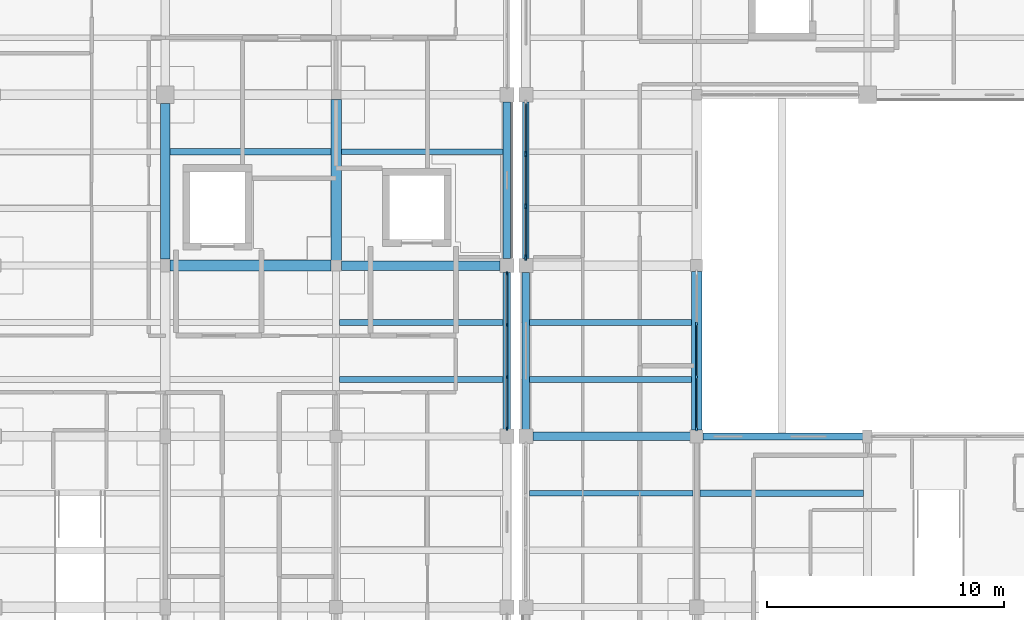
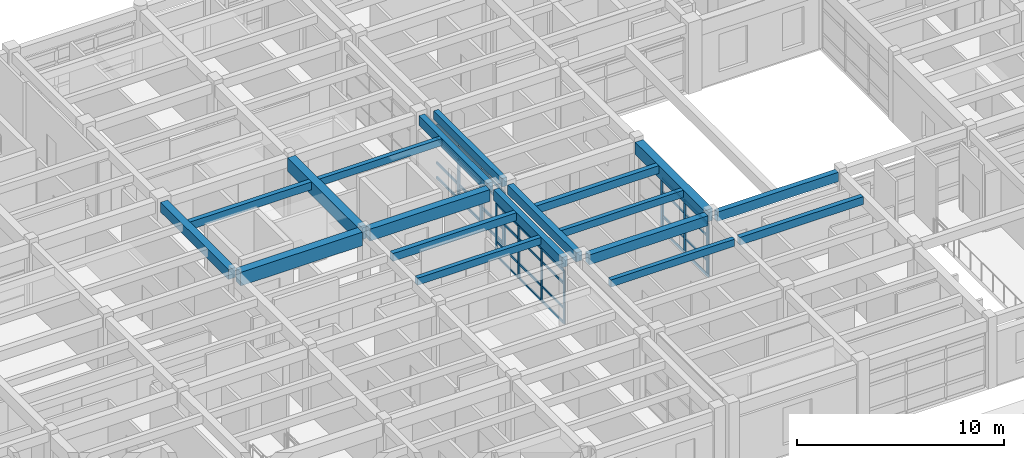
# One storey, part 31 of 110: 42 members, 19 beams, 3 elements without a shape of their own.
"""IFC4 building model written with IfcOpenShell, lengths in metres."""

from ifc_helpers import new_model, si_unit, direction, frame, origin, origin_2d, place, context, subcontext, project, spatial, rectangle, extrude, material, material_profile, profile_set, type_object, element, aggregate, save


model = new_model("IFC4")

# Units and contexts
model_context = context("Model", 3, precision=1e-05, world=origin(), true_north=direction((0.0, 1.0)))
body_context = subcontext(model_context, "Body", "Model", "MODEL_VIEW")
ifc_project = project(units=[si_unit("LENGTHUNIT", "METRE"), si_unit("AREAUNIT", "SQUARE_METRE"), si_unit("VOLUMEUNIT", "CUBIC_METRE"), si_unit("PLANEANGLEUNIT", "RADIAN"), si_unit("MASSUNIT", "GRAM", prefix="KILO")], contexts=[model_context])

# Site, building, storey
site_placement = place(None, origin())
site = spatial("IfcSite", under=ifc_project, at=site_placement, CompositionType="ELEMENT")
building_placement = place(site_placement, origin())
building = spatial("IfcBuilding", under=site, at=building_placement, Name="Steenspoor Specialist Clinic", CompositionType="ELEMENT")
storey_placement = place(building_placement, frame((0.0, 0.0, 4.800048828125)))
storey = spatial("IfcBuildingStorey", under=building, at=storey_placement, Name="L01", CompositionType="ELEMENT", Elevation=4.800048828125)

# Beams
ifc_material_1 = material(Name="Concrete C35/45", Category="concrete")
ifc_material_profile_1 = material_profile(ifc_material_1, rectangle(XDim=0.300048828125, YDim=0.550048828125, at=origin_2d()), Name="RC-BM-300X550")
ifc_profile_set_1 = profile_set([ifc_material_profile_1], Name="Concrete C35/45")
beam_type_1 = type_object("IfcBeamType", Name="BM-RC-300X550", PredefinedType="BEAM", material=ifc_profile_set_1)
beam_1_placement = place(storey_placement, frame((59.8701171875, 79.550048828125, 3.675048828125), z_axis=(1.0, 0.0, 0.0), x_axis=(0.0, 1.0, 0.0)))
element("IfcBeam", 1, at=beam_1_placement, inside=storey, type_object=beam_type_1, Name="BM-V4-L01-X0487", PredefinedType="BEAM", context=body_context, shape_type="SweptSolid", body=[
    extrude(rectangle(XDim=0.300048828125, YDim=0.550048828125, at=origin_2d()), origin(), (0.0, 0.0, 1.0), 6.73486328125),
])
ifc_material_profile_2 = material_profile(ifc_material_1, rectangle(XDim=0.35009765625, YDim=0.580078125, at=origin_2d()), Name="RC-BM-350X580")
ifc_profile_set_2 = profile_set([ifc_material_profile_2], Name="Concrete C35/45")
beam_type_2 = type_object("IfcBeamType", Name="BM-RC-350X580", PredefinedType="BEAM", material=ifc_profile_set_2)
beam_2_placement = place(storey_placement, frame((52.695068359375, 79.550048828125, 3.659912109375), z_axis=(1.0, 0.0, 0.0), x_axis=(0.0, 1.0, 0.0)))
element("IfcBeam", 2, at=beam_2_placement, inside=storey, type_object=beam_type_2, Name="BM-V4-L01-X0486", PredefinedType="BEAM", context=body_context, shape_type="SweptSolid", body=[
    extrude(rectangle(XDim=0.35009765625, YDim=0.580078125, at=origin_2d()), origin(), (0.0, 0.0, 1.0), 6.635009765625),
])
ifc_material_profile_3 = material_profile(ifc_material_1, rectangle(XDim=0.39990234375, YDim=0.580078125, at=origin_2d()), Name="RC-BM-400X580")
ifc_profile_set_3 = profile_set([ifc_material_profile_3], Name="Concrete C35/45")
beam_type_3 = type_object("IfcBeamType", Name="BM-RC-400X580", PredefinedType="BEAM", material=ifc_profile_set_3)
beam_3_placement = place(storey_placement, frame((37.199951171875, 87.02001953125, 3.659912109375), z_axis=(0.0, 1.0, 0.0), x_axis=(-1.0, 0.0, 0.0)))
element("IfcBeam", 3, at=beam_3_placement, inside=storey, type_object=beam_type_3, Name="BM-V5-L01-Y1191", PredefinedType="BEAM", context=body_context, shape_type="SweptSolid", body=[
    extrude(rectangle(XDim=0.39990234375, YDim=0.580078125, at=origin_2d()), origin(), (0.0, 0.0, 1.0), 6.56005859375),
])
ifc_material_profile_4 = material_profile(ifc_material_1, rectangle(XDim=0.39990234375, YDim=0.699951171875, at=origin_2d()), Name="RC-BM-400X700")
ifc_profile_set_4 = profile_set([ifc_material_profile_4], Name="Concrete C35/45")
beam_type_4 = type_object("IfcBeamType", Name="BM-RC-400X700", PredefinedType="BEAM", material=ifc_profile_set_4)
beam_4_placement = place(storey_placement, frame((44.6201171875, 86.75, 3.599853515625), z_axis=(1.0, 0.0, 0.0), x_axis=(0.0, 1.0, 0.0)))
element("IfcBeam", 4, at=beam_4_placement, inside=storey, type_object=beam_type_4, Name="BM-V5-L01-X1168", PredefinedType="BEAM", context=body_context, shape_type="SweptSolid", body=[
    extrude(rectangle(XDim=0.39990234375, YDim=0.699951171875, at=origin_2d()), origin(), (0.0, 0.0, 1.0), 6.684814453125),
])
ifc_material_profile_5 = material_profile(ifc_material_1, rectangle(XDim=0.449951171875, YDim=0.719970703125, at=origin_2d()), Name="RC-BM-450X720")
ifc_profile_set_5 = profile_set([ifc_material_profile_5], Name="Concrete C35/45")
beam_type_5 = type_object("IfcBeamType", Name="BM-RC-450X720", PredefinedType="BEAM", material=ifc_profile_set_5)
beam_5_placement = place(storey_placement, frame((59.60009765625, 79.820068359375, 3.58984375), z_axis=(0.0, 1.0, 0.0), x_axis=(-1.0, 0.0, 0.0)))
element("IfcBeam", 5, at=beam_5_placement, inside=storey, type_object=beam_type_5, Name="BM-V4-L01-Y0529", PredefinedType="BEAM", context=body_context, shape_type="SweptSolid", body=[
    extrude(rectangle(XDim=0.449951171875, YDim=0.719970703125, at=origin_2d()), origin(), (0.0, 0.0, 1.0), 6.684814453125),
])
ifc_material_profile_6 = material_profile(ifc_material_1, rectangle(XDim=0.449951171875, YDim=0.800048828125, at=origin_2d()), Name="RC-BM-450X800")
ifc_profile_set_6 = profile_set([ifc_material_profile_6], Name="Concrete C35/45")
beam_type_6 = type_object("IfcBeamType", Name="BM-RC-450X800", PredefinedType="BEAM", material=ifc_profile_set_6)
for number, where, z_axis, x_axis, name in (
    (6, (37.39501953125, 86.75, 3.550048828125), (1.0, 0.0, 0.0), (0.0, 1.0, 0.0), "BM-V5-L01-X1167"),
    (7, (44.39990234375, 86.969970703125, 3.550048828125), (0.0, 1.0, 0.0), (-1.0, 0.0, 0.0), "BM-V5-L01-Y1197"),
):
    element("IfcBeam", number, at=place(storey_placement, frame(where, z_axis=z_axis, x_axis=x_axis)), inside=storey, type_object=beam_type_6, Name=name, PredefinedType="BEAM", context=body_context, shape_type="SweptSolid", body=[
        extrude(rectangle(XDim=0.449951171875, YDim=0.800048828125, at=origin_2d()), origin(), (0.0, 0.0, 1.0), 6.784912109375),
    ])

# Curtain wall, members
ifc_material_2 = material(Name="Thermally broken aluminium and low-emissivity glass", Category="aluminium")
curtain_wall_type_1 = type_object("IfcCurtainWallType", Name="CW-HALL-480X820", PredefinedType="USERDEFINED", material=ifc_material_2)
curtain_wall_1_placement = place(storey_placement, origin())
curtain_wall_1 = element("IfcCurtainWall", 8, at=curtain_wall_1_placement, inside=storey, type_object=curtain_wall_type_1, Name="Unitised Curtain Wall CW-V5-L01-147", ObjectType="UNITISED GLAZING", PredefinedType="USERDEFINED")
ifc_material_3 = material(Name="Thermally broken aluminium 6063-T6", Category="aluminium")
ifc_material_profile_7 = material_profile(ifc_material_3, rectangle(XDim=0.06494140625, YDim=0.14990234375, at=origin_2d()), Name="CWM-65X150")
ifc_profile_set_7 = profile_set([ifc_material_profile_7], Name="Thermally broken aluminium 6063-T6")
member_type_1 = type_object("IfcMemberType", Name="CW-MULL-65X150", PredefinedType="MULLION", material=ifc_profile_set_7)
member_1_placement = place(storey_placement, frame((51.60009765625, 86.41748046875, 0.0), z_axis=(0.0, 0.0, 1.0), x_axis=(1.0, 0.0, 0.0)))
member_1 = element("IfcMember", 9, at=member_1_placement, type_object=member_type_1, Name="CW-03 mullion 1", PredefinedType="MULLION", context=body_context, shape_type="SweptSolid", body=[
    extrude(rectangle(XDim=0.06494140625, YDim=0.14990234375, at=origin_2d()), origin(), (0.0, 0.0, 1.0), 3.1298828125),
])
member_2_placement = place(storey_placement, frame((51.60009765625, 84.25, 0.0), z_axis=(0.0, 0.0, 1.0), x_axis=(1.0, 0.0, 0.0)))
member_2 = element("IfcMember", 10, at=member_2_placement, type_object=member_type_1, Name="CW-03 mullion 2", PredefinedType="MULLION", context=body_context, shape_type="SweptSolid", body=[
    extrude(rectangle(XDim=0.06494140625, YDim=0.14990234375, at=origin_2d()), origin(), (0.0, 0.0, 1.0), 3.1298828125),
])
member_3_placement = place(storey_placement, frame((51.60009765625, 82.050048828125, 0.0), z_axis=(0.0, 0.0, 1.0), x_axis=(1.0, 0.0, 0.0)))
member_3 = element("IfcMember", 11, at=member_3_placement, type_object=member_type_1, Name="CW-03 mullion 3", PredefinedType="MULLION", context=body_context, shape_type="SweptSolid", body=[
    extrude(rectangle(XDim=0.06494140625, YDim=0.14990234375, at=origin_2d()), origin(), (0.0, 0.0, 1.0), 3.1298828125),
])
member_4_placement = place(storey_placement, frame((51.60009765625, 79.882568359375, 0.0), z_axis=(0.0, 0.0, 1.0), x_axis=(1.0, 0.0, 0.0)))
member_4 = element("IfcMember", 12, at=member_4_placement, type_object=member_type_1, Name="CW-03 mullion 4", PredefinedType="MULLION", context=body_context, shape_type="SweptSolid", body=[
    extrude(rectangle(XDim=0.06494140625, YDim=0.14990234375, at=origin_2d()), origin(), (0.0, 0.0, 1.0), 3.1298828125),
])

curtain_wall_type_2 = type_object("IfcCurtainWallType", Name="CW-SCR-480X320", PredefinedType="USERDEFINED", material=ifc_material_2)
curtain_wall_2_placement = place(storey_placement, origin())
curtain_wall_2 = element("IfcCurtainWall", 13, at=curtain_wall_2_placement, inside=storey, type_object=curtain_wall_type_2, Name="Unitised Curtain Wall CW-V4-L01-066", ObjectType="UNITISED GLAZING", PredefinedType="USERDEFINED")
ifc_material_profile_8 = material_profile(ifc_material_3, rectangle(XDim=0.080078125, YDim=0.219970703125, at=origin_2d()), Name="CWM-80X220")
ifc_profile_set_8 = profile_set([ifc_material_profile_8], Name="Thermally broken aluminium 6063-T6")
member_type_2 = type_object("IfcMemberType", Name="CW-MULL-80X220", PredefinedType="MULLION", material=ifc_profile_set_8)
member_5_placement = place(storey_placement, frame((52.39990234375, 87.090087890625, 0.0), z_axis=(0.0, 0.0, 1.0), x_axis=(-1.0, 0.0, 0.0)))
member_5 = element("IfcMember", 14, at=member_5_placement, type_object=member_type_2, Name="CW-18 mullion 1", PredefinedType="MULLION", context=body_context, shape_type="SweptSolid", body=[
    extrude(rectangle(XDim=0.080078125, YDim=0.219970703125, at=origin_2d()), origin(), (0.0, 0.0, 1.0), 3.1298828125),
])
member_6_placement = place(storey_placement, frame((52.39990234375, 89.25, 0.0), z_axis=(0.0, 0.0, 1.0), x_axis=(-1.0, 0.0, 0.0)))
member_6 = element("IfcMember", 15, at=member_6_placement, type_object=member_type_2, Name="CW-18 mullion 2", PredefinedType="MULLION", context=body_context, shape_type="SweptSolid", body=[
    extrude(rectangle(XDim=0.080078125, YDim=0.219970703125, at=origin_2d()), origin(), (0.0, 0.0, 1.0), 3.1298828125),
])
member_7_placement = place(storey_placement, frame((52.39990234375, 91.449951171875, 0.0), z_axis=(0.0, 0.0, 1.0), x_axis=(-1.0, 0.0, 0.0)))
member_7 = element("IfcMember", 16, at=member_7_placement, type_object=member_type_2, Name="CW-18 mullion 3", PredefinedType="MULLION", context=body_context, shape_type="SweptSolid", body=[
    extrude(rectangle(XDim=0.080078125, YDim=0.219970703125, at=origin_2d()), origin(), (0.0, 0.0, 1.0), 3.1298828125),
])

curtain_wall_type_3 = type_object("IfcCurtainWallType", Name="CW-L00-650X415", PredefinedType="USERDEFINED", material=ifc_material_2)
curtain_wall_3_placement = place(storey_placement, origin())
curtain_wall_3 = element("IfcCurtainWall", 17, at=curtain_wall_3_placement, inside=storey, type_object=curtain_wall_type_3, Name="Unitised Curtain Wall CW-V4-L01-077", ObjectType="UNITISED GLAZING", PredefinedType="USERDEFINED")
ifc_material_profile_9 = material_profile(ifc_material_3, rectangle(XDim=0.090087890625, YDim=0.199951171875, at=origin_2d()), Name="CWM-90X200")
ifc_profile_set_9 = profile_set([ifc_material_profile_9], Name="Thermally broken aluminium 6063-T6")
member_type_3 = type_object("IfcMemberType", Name="CW-MULL-90X200", PredefinedType="MULLION", material=ifc_profile_set_9)
member_8_placement = place(storey_placement, frame((59.60009765625, 84.27490234375, 0.0), z_axis=(0.0, 0.0, 1.0), x_axis=(1.0, 0.0, 0.0)))
member_8 = element("IfcMember", 18, at=member_8_placement, type_object=member_type_3, Name="CW-05 mullion 2", PredefinedType="MULLION", context=body_context, shape_type="SweptSolid", body=[
    extrude(rectangle(XDim=0.090087890625, YDim=0.199951171875, at=origin_2d()), origin(), (0.0, 0.0, 1.0), 3.1298828125),
])
member_9_placement = place(storey_placement, frame((59.60009765625, 82.050048828125, 0.0), z_axis=(0.0, 0.0, 1.0), x_axis=(1.0, 0.0, 0.0)))
member_9 = element("IfcMember", 19, at=member_9_placement, type_object=member_type_3, Name="CW-05 mullion 3", PredefinedType="MULLION", context=body_context, shape_type="SweptSolid", body=[
    extrude(rectangle(XDim=0.090087890625, YDim=0.199951171875, at=origin_2d()), origin(), (0.0, 0.0, 1.0), 3.1298828125),
])
member_10_placement = place(storey_placement, frame((59.60009765625, 79.8701171875, 0.0), z_axis=(0.0, 0.0, 1.0), x_axis=(1.0, 0.0, 0.0)))
member_10 = element("IfcMember", 20, at=member_10_placement, type_object=member_type_3, Name="CW-05 mullion 4", PredefinedType="MULLION", context=body_context, shape_type="SweptSolid", body=[
    extrude(rectangle(XDim=0.090087890625, YDim=0.199951171875, at=origin_2d()), origin(), (0.0, 0.0, 1.0), 3.1298828125),
])
ifc_material_profile_10 = material_profile(ifc_material_3, rectangle(XDim=0.06494140625, YDim=0.1298828125, at=origin_2d()), Name="CWT-65X130")
ifc_profile_set_10 = profile_set([ifc_material_profile_10], Name="Thermally broken aluminium 6063-T6")
member_type_4 = type_object("IfcMemberType", Name="CW-TRAN-65X130", PredefinedType="USERDEFINED", material=ifc_profile_set_10)
member_11_placement = place(storey_placement, frame((59.60009765625, 84.22998046875, 0.032470703125), z_axis=(0.0, -1.0, 0.0), x_axis=(1.0, 0.0, 0.0)))
member_11 = element("IfcMember", 21, at=member_11_placement, type_object=member_type_4, Name="CW-05 transom 2.1", ObjectType="TRANSOM", PredefinedType="USERDEFINED", context=body_context, shape_type="SweptSolid", body=[
    extrude(rectangle(XDim=0.06494140625, YDim=0.1298828125, at=origin_2d()), origin(), (0.0, 0.0, 1.0), 2.135009765625),
])
member_12_placement = place(storey_placement, frame((59.60009765625, 84.22998046875, 0.89990234375), z_axis=(0.0, -1.0, 0.0), x_axis=(1.0, 0.0, 0.0)))
member_12 = element("IfcMember", 22, at=member_12_placement, type_object=member_type_4, Name="CW-05 transom 2.2", ObjectType="TRANSOM", PredefinedType="USERDEFINED", context=body_context, shape_type="SweptSolid", body=[
    extrude(rectangle(XDim=0.06494140625, YDim=0.1298828125, at=origin_2d()), origin(), (0.0, 0.0, 1.0), 2.135009765625),
])
member_13_placement = place(storey_placement, frame((59.60009765625, 84.22998046875, 2.349853515625), z_axis=(0.0, -1.0, 0.0), x_axis=(1.0, 0.0, 0.0)))
member_13 = element("IfcMember", 23, at=member_13_placement, type_object=member_type_4, Name="CW-05 transom 2.3", ObjectType="TRANSOM", PredefinedType="USERDEFINED", context=body_context, shape_type="SweptSolid", body=[
    extrude(rectangle(XDim=0.06494140625, YDim=0.1298828125, at=origin_2d()), origin(), (0.0, 0.0, 1.0), 2.135009765625),
])
member_14_placement = place(storey_placement, frame((59.60009765625, 84.22998046875, 3.097412109375), z_axis=(0.0, -1.0, 0.0), x_axis=(1.0, 0.0, 0.0)))
member_14 = element("IfcMember", 24, at=member_14_placement, type_object=member_type_4, Name="CW-05 transom 2.4", ObjectType="TRANSOM", PredefinedType="USERDEFINED", context=body_context, shape_type="SweptSolid", body=[
    extrude(rectangle(XDim=0.06494140625, YDim=0.1298828125, at=origin_2d()), origin(), (0.0, 0.0, 1.0), 2.135009765625),
])
member_15_placement = place(storey_placement, frame((59.60009765625, 82.0048828125, 0.032470703125), z_axis=(0.0, -1.0, 0.0), x_axis=(1.0, 0.0, 0.0)))
member_15 = element("IfcMember", 25, at=member_15_placement, type_object=member_type_4, Name="CW-05 transom 3.1", ObjectType="TRANSOM", PredefinedType="USERDEFINED", context=body_context, shape_type="SweptSolid", body=[
    extrude(rectangle(XDim=0.06494140625, YDim=0.1298828125, at=origin_2d()), origin(), (0.0, 0.0, 1.0), 2.08984375),
])
member_16_placement = place(storey_placement, frame((59.60009765625, 82.0048828125, 0.89990234375), z_axis=(0.0, -1.0, 0.0), x_axis=(1.0, 0.0, 0.0)))
member_16 = element("IfcMember", 26, at=member_16_placement, type_object=member_type_4, Name="CW-05 transom 3.2", ObjectType="TRANSOM", PredefinedType="USERDEFINED", context=body_context, shape_type="SweptSolid", body=[
    extrude(rectangle(XDim=0.06494140625, YDim=0.1298828125, at=origin_2d()), origin(), (0.0, 0.0, 1.0), 2.08984375),
])
member_17_placement = place(storey_placement, frame((59.60009765625, 82.0048828125, 2.349853515625), z_axis=(0.0, -1.0, 0.0), x_axis=(1.0, 0.0, 0.0)))
member_17 = element("IfcMember", 27, at=member_17_placement, type_object=member_type_4, Name="CW-05 transom 3.3", ObjectType="TRANSOM", PredefinedType="USERDEFINED", context=body_context, shape_type="SweptSolid", body=[
    extrude(rectangle(XDim=0.06494140625, YDim=0.1298828125, at=origin_2d()), origin(), (0.0, 0.0, 1.0), 2.08984375),
])
member_18_placement = place(storey_placement, frame((59.60009765625, 82.0048828125, 3.097412109375), z_axis=(0.0, -1.0, 0.0), x_axis=(1.0, 0.0, 0.0)))
member_18 = element("IfcMember", 28, at=member_18_placement, type_object=member_type_4, Name="CW-05 transom 3.4", ObjectType="TRANSOM", PredefinedType="USERDEFINED", context=body_context, shape_type="SweptSolid", body=[
    extrude(rectangle(XDim=0.06494140625, YDim=0.1298828125, at=origin_2d()), origin(), (0.0, 0.0, 1.0), 2.08984375),
])
aggregate(curtain_wall_3, [member_8, member_9, member_10, member_11, member_12, member_13, member_14, member_15, member_16, member_17, member_18])

# Member
member_19_placement = place(storey_placement, frame((51.60009765625, 86.385009765625, 0.032470703125), z_axis=(0.0, -1.0, 0.0), x_axis=(1.0, 0.0, 0.0)))
member_19 = element("IfcMember", 29, at=member_19_placement, type_object=member_type_4, Name="CW-03 transom 1.1", ObjectType="TRANSOM", PredefinedType="USERDEFINED", context=body_context, shape_type="SweptSolid", body=[
    extrude(rectangle(XDim=0.06494140625, YDim=0.1298828125, at=origin_2d()), origin(), (0.0, 0.0, 1.0), 2.1025390625),
])

member_20_placement = place(storey_placement, frame((51.60009765625, 86.385009765625, 0.89990234375), z_axis=(0.0, -1.0, 0.0), x_axis=(1.0, 0.0, 0.0)))
member_20 = element("IfcMember", 30, at=member_20_placement, type_object=member_type_4, Name="CW-03 transom 1.2", ObjectType="TRANSOM", PredefinedType="USERDEFINED", context=body_context, shape_type="SweptSolid", body=[
    extrude(rectangle(XDim=0.06494140625, YDim=0.1298828125, at=origin_2d()), origin(), (0.0, 0.0, 1.0), 2.1025390625),
])

member_21_placement = place(storey_placement, frame((51.60009765625, 86.385009765625, 2.349853515625), z_axis=(0.0, -1.0, 0.0), x_axis=(1.0, 0.0, 0.0)))
member_21 = element("IfcMember", 31, at=member_21_placement, type_object=member_type_4, Name="CW-03 transom 1.3", ObjectType="TRANSOM", PredefinedType="USERDEFINED", context=body_context, shape_type="SweptSolid", body=[
    extrude(rectangle(XDim=0.06494140625, YDim=0.1298828125, at=origin_2d()), origin(), (0.0, 0.0, 1.0), 2.1025390625),
])

member_22_placement = place(storey_placement, frame((51.60009765625, 86.385009765625, 3.097412109375), z_axis=(0.0, -1.0, 0.0), x_axis=(1.0, 0.0, 0.0)))
member_22 = element("IfcMember", 32, at=member_22_placement, type_object=member_type_4, Name="CW-03 transom 1.4", ObjectType="TRANSOM", PredefinedType="USERDEFINED", context=body_context, shape_type="SweptSolid", body=[
    extrude(rectangle(XDim=0.06494140625, YDim=0.1298828125, at=origin_2d()), origin(), (0.0, 0.0, 1.0), 2.1025390625),
])

member_23_placement = place(storey_placement, frame((51.60009765625, 84.217529296875, 0.032470703125), z_axis=(0.0, -1.0, 0.0), x_axis=(1.0, 0.0, 0.0)))
member_23 = element("IfcMember", 33, at=member_23_placement, type_object=member_type_4, Name="CW-03 transom 2.1", ObjectType="TRANSOM", PredefinedType="USERDEFINED", context=body_context, shape_type="SweptSolid", body=[
    extrude(rectangle(XDim=0.06494140625, YDim=0.1298828125, at=origin_2d()), origin(), (0.0, 0.0, 1.0), 2.135009765625),
])

member_24_placement = place(storey_placement, frame((51.60009765625, 84.217529296875, 0.89990234375), z_axis=(0.0, -1.0, 0.0), x_axis=(1.0, 0.0, 0.0)))
member_24 = element("IfcMember", 34, at=member_24_placement, type_object=member_type_4, Name="CW-03 transom 2.2", ObjectType="TRANSOM", PredefinedType="USERDEFINED", context=body_context, shape_type="SweptSolid", body=[
    extrude(rectangle(XDim=0.06494140625, YDim=0.1298828125, at=origin_2d()), origin(), (0.0, 0.0, 1.0), 2.135009765625),
])

member_25_placement = place(storey_placement, frame((51.60009765625, 84.217529296875, 2.349853515625), z_axis=(0.0, -1.0, 0.0), x_axis=(1.0, 0.0, 0.0)))
member_25 = element("IfcMember", 35, at=member_25_placement, type_object=member_type_4, Name="CW-03 transom 2.3", ObjectType="TRANSOM", PredefinedType="USERDEFINED", context=body_context, shape_type="SweptSolid", body=[
    extrude(rectangle(XDim=0.06494140625, YDim=0.1298828125, at=origin_2d()), origin(), (0.0, 0.0, 1.0), 2.135009765625),
])

member_26_placement = place(storey_placement, frame((51.60009765625, 84.217529296875, 3.097412109375), z_axis=(0.0, -1.0, 0.0), x_axis=(1.0, 0.0, 0.0)))
member_26 = element("IfcMember", 36, at=member_26_placement, type_object=member_type_4, Name="CW-03 transom 2.4", ObjectType="TRANSOM", PredefinedType="USERDEFINED", context=body_context, shape_type="SweptSolid", body=[
    extrude(rectangle(XDim=0.06494140625, YDim=0.1298828125, at=origin_2d()), origin(), (0.0, 0.0, 1.0), 2.135009765625),
])

member_27_placement = place(storey_placement, frame((51.60009765625, 82.017578125, 0.032470703125), z_axis=(0.0, -1.0, 0.0), x_axis=(1.0, 0.0, 0.0)))
member_27 = element("IfcMember", 37, at=member_27_placement, type_object=member_type_4, Name="CW-03 transom 3.1", ObjectType="TRANSOM", PredefinedType="USERDEFINED", context=body_context, shape_type="SweptSolid", body=[
    extrude(rectangle(XDim=0.06494140625, YDim=0.1298828125, at=origin_2d()), origin(), (0.0, 0.0, 1.0), 2.1025390625),
])

member_28_placement = place(storey_placement, frame((51.60009765625, 82.017578125, 0.89990234375), z_axis=(0.0, -1.0, 0.0), x_axis=(1.0, 0.0, 0.0)))
member_28 = element("IfcMember", 38, at=member_28_placement, type_object=member_type_4, Name="CW-03 transom 3.2", ObjectType="TRANSOM", PredefinedType="USERDEFINED", context=body_context, shape_type="SweptSolid", body=[
    extrude(rectangle(XDim=0.06494140625, YDim=0.1298828125, at=origin_2d()), origin(), (0.0, 0.0, 1.0), 2.1025390625),
])

member_29_placement = place(storey_placement, frame((51.60009765625, 82.017578125, 2.349853515625), z_axis=(0.0, -1.0, 0.0), x_axis=(1.0, 0.0, 0.0)))
member_29 = element("IfcMember", 39, at=member_29_placement, type_object=member_type_4, Name="CW-03 transom 3.3", ObjectType="TRANSOM", PredefinedType="USERDEFINED", context=body_context, shape_type="SweptSolid", body=[
    extrude(rectangle(XDim=0.06494140625, YDim=0.1298828125, at=origin_2d()), origin(), (0.0, 0.0, 1.0), 2.1025390625),
])

member_30_placement = place(storey_placement, frame((51.60009765625, 82.017578125, 3.097412109375), z_axis=(0.0, -1.0, 0.0), x_axis=(1.0, 0.0, 0.0)))
member_30 = element("IfcMember", 40, at=member_30_placement, type_object=member_type_4, Name="CW-03 transom 3.4", ObjectType="TRANSOM", PredefinedType="USERDEFINED", context=body_context, shape_type="SweptSolid", body=[
    extrude(rectangle(XDim=0.06494140625, YDim=0.1298828125, at=origin_2d()), origin(), (0.0, 0.0, 1.0), 2.1025390625),
])

aggregate(curtain_wall_1, [member_1, member_2, member_3, member_4, member_19, member_20, member_21, member_22, member_23, member_24, member_25, member_26, member_27, member_28, member_29, member_30])

ifc_material_profile_11 = material_profile(ifc_material_3, rectangle(XDim=0.070068359375, YDim=0.14501953125, at=origin_2d()), Name="CWT-70X145")
ifc_profile_set_11 = profile_set([ifc_material_profile_11], Name="Thermally broken aluminium 6063-T6")
member_type_5 = type_object("IfcMemberType", Name="CW-TRAN-70X145", PredefinedType="USERDEFINED", material=ifc_profile_set_11)
member_31_placement = place(storey_placement, frame((52.39990234375, 87.1298828125, 0.034912109375), z_axis=(0.0, 1.0, 0.0), x_axis=(-1.0, 0.0, 0.0)))
member_31 = element("IfcMember", 41, at=member_31_placement, type_object=member_type_5, Name="CW-18 transom 1.1", ObjectType="TRANSOM", PredefinedType="USERDEFINED", context=body_context, shape_type="SweptSolid", body=[
    extrude(rectangle(XDim=0.070068359375, YDim=0.14501953125, at=origin_2d()), origin(), (0.0, 0.0, 1.0), 2.080078125),
])

member_32_placement = place(storey_placement, frame((52.39990234375, 87.1298828125, 0.89990234375), z_axis=(0.0, 1.0, 0.0), x_axis=(-1.0, 0.0, 0.0)))
member_32 = element("IfcMember", 42, at=member_32_placement, type_object=member_type_5, Name="CW-18 transom 1.2", ObjectType="TRANSOM", PredefinedType="USERDEFINED", context=body_context, shape_type="SweptSolid", body=[
    extrude(rectangle(XDim=0.070068359375, YDim=0.14501953125, at=origin_2d()), origin(), (0.0, 0.0, 1.0), 2.080078125),
])

member_33_placement = place(storey_placement, frame((52.39990234375, 87.1298828125, 2.349853515625), z_axis=(0.0, 1.0, 0.0), x_axis=(-1.0, 0.0, 0.0)))
member_33 = element("IfcMember", 43, at=member_33_placement, type_object=member_type_5, Name="CW-18 transom 1.3", ObjectType="TRANSOM", PredefinedType="USERDEFINED", context=body_context, shape_type="SweptSolid", body=[
    extrude(rectangle(XDim=0.070068359375, YDim=0.14501953125, at=origin_2d()), origin(), (0.0, 0.0, 1.0), 2.080078125),
])

member_34_placement = place(storey_placement, frame((52.39990234375, 87.1298828125, 3.094970703125), z_axis=(0.0, 1.0, 0.0), x_axis=(-1.0, 0.0, 0.0)))
member_34 = element("IfcMember", 44, at=member_34_placement, type_object=member_type_5, Name="CW-18 transom 1.4", ObjectType="TRANSOM", PredefinedType="USERDEFINED", context=body_context, shape_type="SweptSolid", body=[
    extrude(rectangle(XDim=0.070068359375, YDim=0.14501953125, at=origin_2d()), origin(), (0.0, 0.0, 1.0), 2.080078125),
])

member_35_placement = place(storey_placement, frame((52.39990234375, 89.2900390625, 0.034912109375), z_axis=(0.0, 1.0, 0.0), x_axis=(-1.0, 0.0, 0.0)))
member_35 = element("IfcMember", 45, at=member_35_placement, type_object=member_type_5, Name="CW-18 transom 2.1", ObjectType="TRANSOM", PredefinedType="USERDEFINED", context=body_context, shape_type="SweptSolid", body=[
    extrude(rectangle(XDim=0.070068359375, YDim=0.14501953125, at=origin_2d()), origin(), (0.0, 0.0, 1.0), 2.119873046875),
])

member_36_placement = place(storey_placement, frame((52.39990234375, 89.2900390625, 0.89990234375), z_axis=(0.0, 1.0, 0.0), x_axis=(-1.0, 0.0, 0.0)))
member_36 = element("IfcMember", 46, at=member_36_placement, type_object=member_type_5, Name="CW-18 transom 2.2", ObjectType="TRANSOM", PredefinedType="USERDEFINED", context=body_context, shape_type="SweptSolid", body=[
    extrude(rectangle(XDim=0.070068359375, YDim=0.14501953125, at=origin_2d()), origin(), (0.0, 0.0, 1.0), 2.119873046875),
])

member_37_placement = place(storey_placement, frame((52.39990234375, 89.2900390625, 2.349853515625), z_axis=(0.0, 1.0, 0.0), x_axis=(-1.0, 0.0, 0.0)))
member_37 = element("IfcMember", 47, at=member_37_placement, type_object=member_type_5, Name="CW-18 transom 2.3", ObjectType="TRANSOM", PredefinedType="USERDEFINED", context=body_context, shape_type="SweptSolid", body=[
    extrude(rectangle(XDim=0.070068359375, YDim=0.14501953125, at=origin_2d()), origin(), (0.0, 0.0, 1.0), 2.119873046875),
])

member_38_placement = place(storey_placement, frame((52.39990234375, 89.2900390625, 3.094970703125), z_axis=(0.0, 1.0, 0.0), x_axis=(-1.0, 0.0, 0.0)))
member_38 = element("IfcMember", 48, at=member_38_placement, type_object=member_type_5, Name="CW-18 transom 2.4", ObjectType="TRANSOM", PredefinedType="USERDEFINED", context=body_context, shape_type="SweptSolid", body=[
    extrude(rectangle(XDim=0.070068359375, YDim=0.14501953125, at=origin_2d()), origin(), (0.0, 0.0, 1.0), 2.119873046875),
])

member_39_placement = place(storey_placement, frame((52.39990234375, 91.489990234375, 0.034912109375), z_axis=(0.0, 1.0, 0.0), x_axis=(-1.0, 0.0, 0.0)))
member_39 = element("IfcMember", 49, at=member_39_placement, type_object=member_type_5, Name="CW-18 transom 3.1", ObjectType="TRANSOM", PredefinedType="USERDEFINED", context=body_context, shape_type="SweptSolid", body=[
    extrude(rectangle(XDim=0.070068359375, YDim=0.14501953125, at=origin_2d()), origin(), (0.0, 0.0, 1.0), 2.080078125),
])

member_40_placement = place(storey_placement, frame((52.39990234375, 91.489990234375, 0.89990234375), z_axis=(0.0, 1.0, 0.0), x_axis=(-1.0, 0.0, 0.0)))
member_40 = element("IfcMember", 50, at=member_40_placement, type_object=member_type_5, Name="CW-18 transom 3.2", ObjectType="TRANSOM", PredefinedType="USERDEFINED", context=body_context, shape_type="SweptSolid", body=[
    extrude(rectangle(XDim=0.070068359375, YDim=0.14501953125, at=origin_2d()), origin(), (0.0, 0.0, 1.0), 2.080078125),
])

member_41_placement = place(storey_placement, frame((52.39990234375, 91.489990234375, 2.349853515625), z_axis=(0.0, 1.0, 0.0), x_axis=(-1.0, 0.0, 0.0)))
member_41 = element("IfcMember", 51, at=member_41_placement, type_object=member_type_5, Name="CW-18 transom 3.3", ObjectType="TRANSOM", PredefinedType="USERDEFINED", context=body_context, shape_type="SweptSolid", body=[
    extrude(rectangle(XDim=0.070068359375, YDim=0.14501953125, at=origin_2d()), origin(), (0.0, 0.0, 1.0), 2.080078125),
])

member_42_placement = place(storey_placement, frame((52.39990234375, 91.489990234375, 3.094970703125), z_axis=(0.0, 1.0, 0.0), x_axis=(-1.0, 0.0, 0.0)))
member_42 = element("IfcMember", 52, at=member_42_placement, type_object=member_type_5, Name="CW-18 transom 3.4", ObjectType="TRANSOM", PredefinedType="USERDEFINED", context=body_context, shape_type="SweptSolid", body=[
    extrude(rectangle(XDim=0.070068359375, YDim=0.14501953125, at=origin_2d()), origin(), (0.0, 0.0, 1.0), 2.080078125),
])

aggregate(curtain_wall_2, [member_5, member_6, member_7, member_31, member_32, member_33, member_34, member_35, member_36, member_37, member_38, member_39, member_40, member_41, member_42])

# Beams
ifc_material_profile_12 = material_profile(ifc_material_1, rectangle(XDim=0.239990234375, YDim=0.419921875, at=origin_2d()), Name="RC-JT-240X420")
ifc_profile_set_12 = profile_set([ifc_material_profile_12], Name="Concrete C35/45")
beam_type_7 = type_object("IfcBeamType", Name="JT-RC-240X420", PredefinedType="JOIST", material=ifc_profile_set_12)
beam_6_placement = place(storey_placement, frame((52.554931640625, 77.14990234375, 3.739990234375), z_axis=(1.0, 0.0, 0.0), x_axis=(0.0, 1.0, 0.0)))
element("IfcBeam", 53, at=beam_6_placement, inside=storey, type_object=beam_type_7, Name="JT-V4-L01-0576", PredefinedType="JOIST", context=body_context, shape_type="SweptSolid", body=[
    extrude(rectangle(XDim=0.239990234375, YDim=0.419921875, at=origin_2d()), origin(), (0.0, 0.0, 1.0), 6.900146484375),
])
beam_7_placement = place(storey_placement, frame((52.554931640625, 81.949951171875, 3.739990234375), z_axis=(1.0, 0.0, 0.0), x_axis=(0.0, 1.0, 0.0)))
element("IfcBeam", 54, at=beam_7_placement, inside=storey, type_object=beam_type_7, Name="JT-V4-L01-0577", PredefinedType="JOIST", context=body_context, shape_type="SweptSolid", body=[
    extrude(rectangle(XDim=0.239990234375, YDim=0.419921875, at=origin_2d()), origin(), (0.0, 0.0, 1.0), 6.824951171875),
])
beam_8_placement = place(storey_placement, frame((44.544921875, 81.949951171875, 3.739990234375), z_axis=(1.0, 0.0, 0.0), x_axis=(0.0, 1.0, 0.0)))
element("IfcBeam", 55, at=beam_8_placement, inside=storey, type_object=beam_type_7, Name="JT-V5-L01-1243", PredefinedType="JOIST", context=body_context, shape_type="SweptSolid", body=[
    extrude(rectangle(XDim=0.239990234375, YDim=0.419921875, at=origin_2d()), origin(), (0.0, 0.0, 1.0), 6.900146484375),
])
beam_9_placement = place(storey_placement, frame((44.6201171875, 91.550048828125, 3.739990234375), z_axis=(1.0, 0.0, 0.0), x_axis=(0.0, 1.0, 0.0)))
element("IfcBeam", 56, at=beam_9_placement, inside=storey, type_object=beam_type_7, Name="JT-V5-L01-1245", PredefinedType="JOIST", context=body_context, shape_type="SweptSolid", body=[
    extrude(rectangle(XDim=0.239990234375, YDim=0.419921875, at=origin_2d()), origin(), (0.0, 0.0, 1.0), 6.824951171875),
])
ifc_material_profile_13 = material_profile(ifc_material_1, rectangle(XDim=0.260009765625, YDim=0.4599609375, at=origin_2d()), Name="RC-JT-260X460")
ifc_profile_set_13 = profile_set([ifc_material_profile_13], Name="Concrete C35/45")
beam_type_8 = type_object("IfcBeamType", Name="JT-RC-260X460", PredefinedType="JOIST", material=ifc_profile_set_13)
beam_10_placement = place(storey_placement, frame((52.554931640625, 84.35009765625, 3.719970703125), z_axis=(1.0, 0.0, 0.0), x_axis=(0.0, 1.0, 0.0)))
element("IfcBeam", 57, at=beam_10_placement, inside=storey, type_object=beam_type_8, Name="JT-V4-L01-0578", PredefinedType="JOIST", context=body_context, shape_type="SweptSolid", body=[
    extrude(rectangle(XDim=0.260009765625, YDim=0.4599609375, at=origin_2d()), origin(), (0.0, 0.0, 1.0), 6.824951171875),
])
beam_11_placement = place(storey_placement, frame((59.7451171875, 77.14990234375, 3.719970703125), z_axis=(1.0, 0.0, 0.0), x_axis=(0.0, 1.0, 0.0)))
element("IfcBeam", 58, at=beam_11_placement, inside=storey, type_object=beam_type_8, Name="JT-V4-L01-0588", PredefinedType="JOIST", context=body_context, shape_type="SweptSolid", body=[
    extrude(rectangle(XDim=0.260009765625, YDim=0.4599609375, at=origin_2d()), origin(), (0.0, 0.0, 1.0), 6.884765625),
])
beam_12_placement = place(storey_placement, frame((37.39501953125, 91.550048828125, 3.719970703125), z_axis=(1.0, 0.0, 0.0), x_axis=(0.0, 1.0, 0.0)))
element("IfcBeam", 59, at=beam_12_placement, inside=storey, type_object=beam_type_8, Name="JT-V5-L01-1234", PredefinedType="JOIST", context=body_context, shape_type="SweptSolid", body=[
    extrude(rectangle(XDim=0.260009765625, YDim=0.4599609375, at=origin_2d()), origin(), (0.0, 0.0, 1.0), 6.784912109375),
])
beam_13_placement = place(storey_placement, frame((44.544921875, 84.35009765625, 3.719970703125), z_axis=(1.0, 0.0, 0.0), x_axis=(0.0, 1.0, 0.0)))
element("IfcBeam", 60, at=beam_13_placement, inside=storey, type_object=beam_type_8, Name="JT-V5-L01-1244", PredefinedType="JOIST", context=body_context, shape_type="SweptSolid", body=[
    extrude(rectangle(XDim=0.260009765625, YDim=0.4599609375, at=origin_2d()), origin(), (0.0, 0.0, 1.0), 6.900146484375),
])
ifc_material_profile_14 = material_profile(ifc_material_1, rectangle(XDim=0.280029296875, YDim=0.5, at=origin_2d()), Name="RC-SP-280X500")
ifc_profile_set_14 = profile_set([ifc_material_profile_14], Name="Concrete C35/45")
beam_type_9 = type_object("IfcBeamType", Name="SP-RC-280X500", PredefinedType="SPANDREL", material=ifc_profile_set_14)
beam_14_placement = place(storey_placement, frame((52.39990234375, 87.044921875, 3.699951171875), z_axis=(0.0, 1.0, 0.0), x_axis=(-1.0, 0.0, 0.0)))
element("IfcBeam", 61, at=beam_14_placement, inside=storey, type_object=beam_type_9, Name="BM-V4-L01-Y0524", PredefinedType="SPANDREL", context=body_context, shape_type="SweptSolid", body=[
    extrude(rectangle(XDim=0.280029296875, YDim=0.5, at=origin_2d()), origin(), (0.0, 0.0, 1.0), 6.610107421875),
])
ifc_material_profile_15 = material_profile(ifc_material_1, rectangle(XDim=0.320068359375, YDim=0.5400390625, at=origin_2d()), Name="RC-SP-320X540")
ifc_profile_set_15 = profile_set([ifc_material_profile_15], Name="Concrete C35/45")
beam_type_10 = type_object("IfcBeamType", Name="SP-RC-320X540", PredefinedType="SPANDREL", material=ifc_profile_set_15)
for number, where, z_axis, x_axis, name in (
    (62, (52.39990234375, 79.844970703125, 3.679931640625), (0.0, 1.0, 0.0), (-1.0, 0.0, 0.0), "BM-V4-L01-Y0523"),
    (63, (51.60009765625, 87.044921875, 3.679931640625), (0.0, 1.0, 0.0), (-1.0, 0.0, 0.0), "BM-V5-L01-Y1203"),
):
    element("IfcBeam", number, at=place(storey_placement, frame(where, z_axis=z_axis, x_axis=x_axis)), inside=storey, type_object=beam_type_10, Name=name, PredefinedType="SPANDREL", context=body_context, shape_type="SweptSolid", body=[
        extrude(rectangle(XDim=0.320068359375, YDim=0.5400390625, at=origin_2d()), origin(), (0.0, 0.0, 1.0), 6.610107421875),
    ])
ifc_material_profile_16 = material_profile(ifc_material_1, rectangle(XDim=0.320068359375, YDim=0.60009765625, at=origin_2d()), Name="RC-SP-320X600")
ifc_profile_set_16 = profile_set([ifc_material_profile_16], Name="Concrete C35/45")
beam_type_11 = type_object("IfcBeamType", Name="SP-RC-320X600", PredefinedType="SPANDREL", material=ifc_profile_set_16)
beam_15_placement = place(storey_placement, frame((51.60009765625, 79.844970703125, 3.64990234375), z_axis=(0.0, 1.0, 0.0), x_axis=(-1.0, 0.0, 0.0)))
element("IfcBeam", 64, at=beam_15_placement, inside=storey, type_object=beam_type_11, Name="BM-V5-L01-Y1202", PredefinedType="SPANDREL", context=body_context, shape_type="SweptSolid", body=[
    extrude(rectangle(XDim=0.320068359375, YDim=0.60009765625, at=origin_2d()), origin(), (0.0, 0.0, 1.0), 6.610107421875),
])

save(model, "model.ifc")
